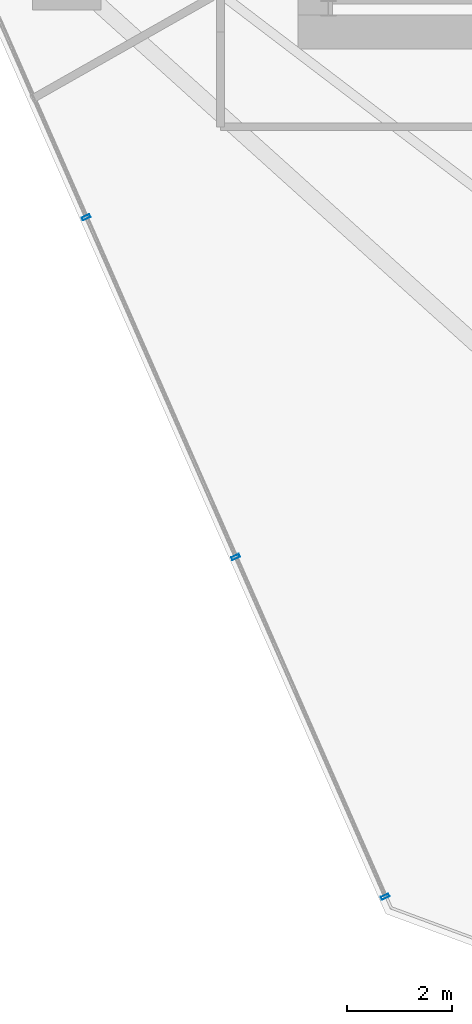
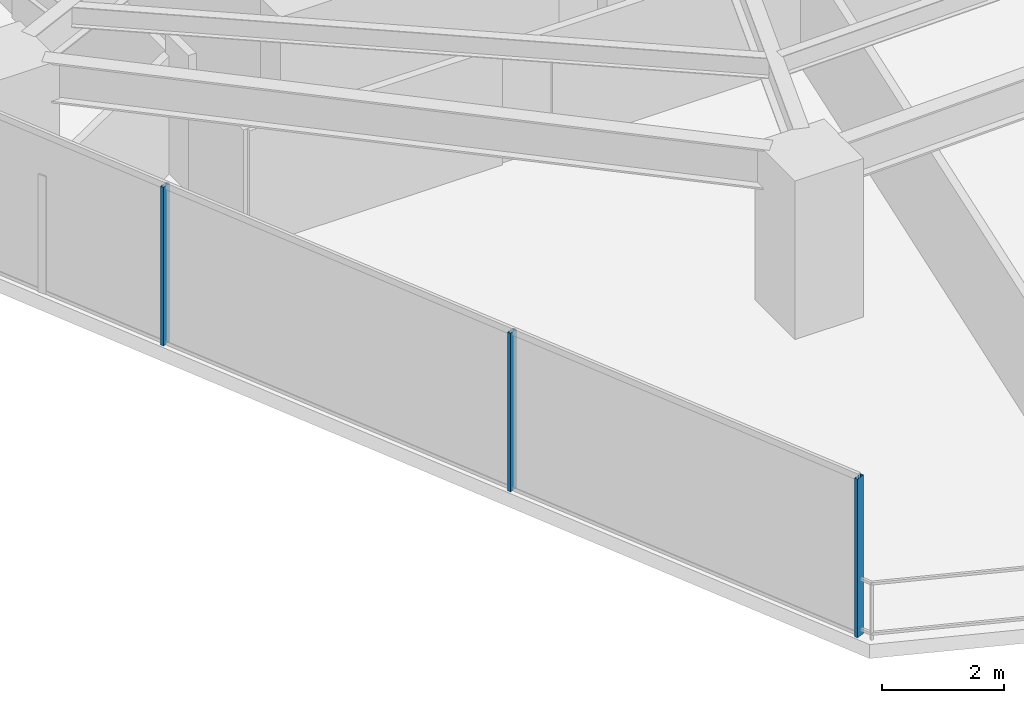
# One storey, part 3 of 28: 3 members, 1 element without a shape of its own.
"""IFC4 building model written with IfcOpenShell, lengths in metres."""

from ifc_helpers import new_model, si_unit, direction, frame, origin, origin_2d, place, context, subcontext, project, spatial, hollow_rectangle, extrude, material, layer, layer_set, material_profile, profile_set, type_object, element, aggregate, save


model = new_model("IFC4")

# Units and contexts
model_context = context("Model", 3, precision=1e-05, world=origin(), true_north=direction((0.0, 1.0)))
body_context = subcontext(model_context, "Body", "Model", "MODEL_VIEW")
ifc_project = project(units=[si_unit("LENGTHUNIT", "METRE"), si_unit("AREAUNIT", "SQUARE_METRE"), si_unit("VOLUMEUNIT", "CUBIC_METRE"), si_unit("PLANEANGLEUNIT", "RADIAN"), si_unit("MASSUNIT", "GRAM", prefix="KILO")], contexts=[model_context])

# Site, building, storey
site_placement = place(None, origin())
site = spatial("IfcSite", under=ifc_project, at=site_placement, CompositionType="ELEMENT")
building_placement = place(site_placement, origin())
building = spatial("IfcBuilding", under=site, at=building_placement, Name="Qarnah Convention Tower", CompositionType="ELEMENT")
storey_placement = place(building_placement, frame((0.0, 0.0, 44.25)))
storey = spatial("IfcBuildingStorey", under=building, at=storey_placement, Name="L10", CompositionType="ELEMENT", Elevation=44.25)

# Curtain wall, members
ifc_material_1 = material(Name="Tempered Low-E dark glass", Category="glass")
ifc_layer = layer(ifc_material_1, 0.16796875)
ifc_layer_set = layer_set([ifc_layer], Name="Tempered Low-E dark glass")
curtain_wall_type = type_object("IfcCurtainWallType", Name="CWS-01", PredefinedType="NOTDEFINED", material=ifc_layer_set)
curtain_wall_placement = place(storey_placement, origin())
curtain_wall = element("IfcCurtainWall", 1, at=curtain_wall_placement, inside=storey, type_object=curtain_wall_type, Name="L10 unitised curtain wall CW-L10-F1", PredefinedType="NOTDEFINED")
ifc_material_2 = material(Name="Black anodised aluminium", Category="aluminium")
ifc_material_profile = material_profile(ifc_material_2, hollow_rectangle(XDim=0.06005859375, YDim=0.159912109375, WallThickness=0.00390625, at=origin_2d()), Name="MUL-60X160")
ifc_profile_set = profile_set([ifc_material_profile], Name="Black anodised aluminium")
member_type = type_object("IfcMemberType", Name="MUL-T1", PredefinedType="MULLION", material=ifc_profile_set)
member_1_placement = place(storey_placement, frame((28.12890625, 2.180908203125, 0.0), z_axis=(0.0, 0.0, 1.0), x_axis=(-0.402894582993, 0.915246390321, 0.0)))
member_1 = element("IfcMember", 2, at=member_1_placement, type_object=member_type, Name="CW-L10-F1 mullion 1", PredefinedType="MULLION", context=body_context, shape_type="SweptSolid", body=[
    extrude(hollow_rectangle(XDim=0.06005859375, YDim=0.159912109375, WallThickness=0.00390625, at=origin_2d()), origin(), (0.0, 0.0, 1.0), 3.169921875),
])
member_2_placement = place(storey_placement, frame((25.28955078125, 8.631103515625, 0.0), z_axis=(0.0, 0.0, 1.0), x_axis=(-0.402894582993, 0.915246390321, 0.0)))
member_2 = element("IfcMember", 3, at=member_2_placement, type_object=member_type, Name="CW-L10-F1 mullion 2", PredefinedType="MULLION", context=body_context, shape_type="SweptSolid", body=[
    extrude(hollow_rectangle(XDim=0.06005859375, YDim=0.159912109375, WallThickness=0.00390625, at=origin_2d()), origin(), (0.0, 0.0, 1.0), 3.169921875),
])
member_3_placement = place(storey_placement, frame((22.4501953125, 15.081298828125, 0.0), z_axis=(0.0, 0.0, 1.0), x_axis=(-0.402894582993, 0.915246390321, 0.0)))
member_3 = element("IfcMember", 4, at=member_3_placement, type_object=member_type, Name="CW-L10-F1 mullion 3", PredefinedType="MULLION", context=body_context, shape_type="SweptSolid", body=[
    extrude(hollow_rectangle(XDim=0.06005859375, YDim=0.159912109375, WallThickness=0.00390625, at=origin_2d()), origin(), (0.0, 0.0, 1.0), 3.169921875),
])
aggregate(curtain_wall, [member_1, member_2, member_3])

save(model, "model.ifc")
